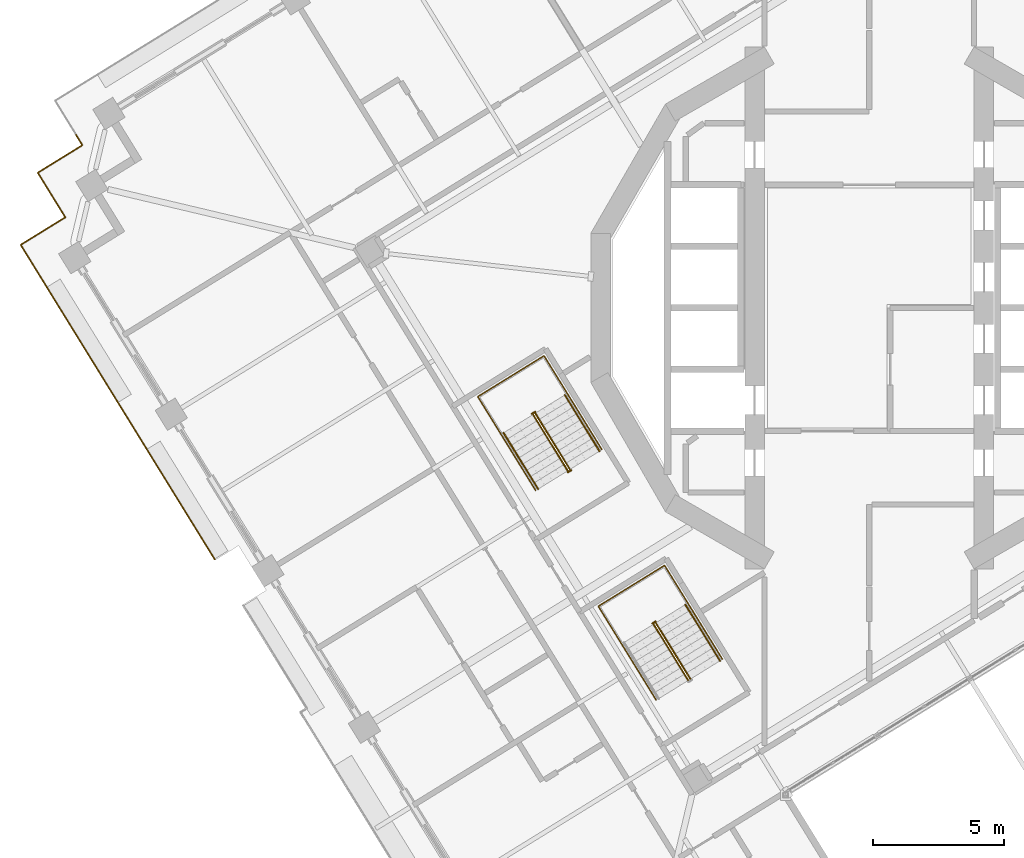
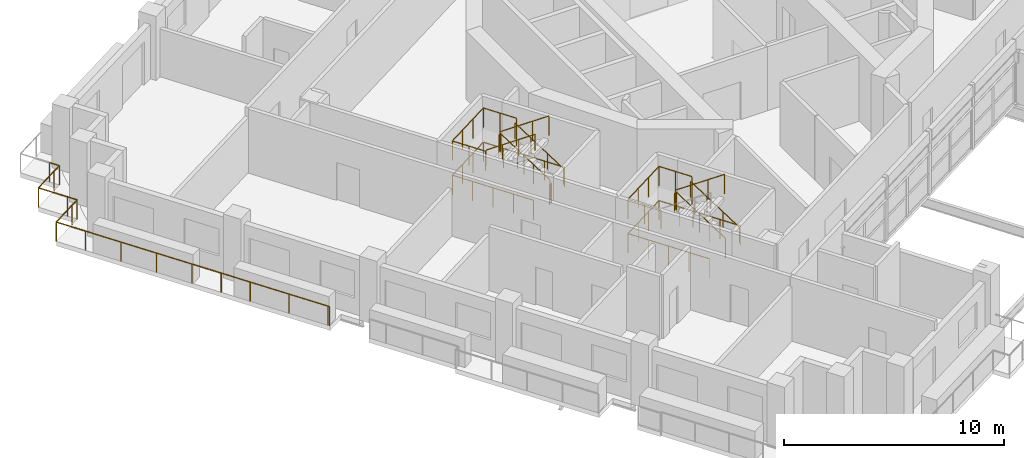
# One storey, part 17 of 22: 13 railings.
"""IFC4 building model written with IfcOpenShell, lengths in metres."""

from ifc_helpers import new_model, si_unit, direction, frame, origin, origin_2d, place, context, subcontext, project, spatial, circle, extrude, material, type_object, element, save


model = new_model("IFC4")

# Units and contexts
model_context = context("Model", 3, precision=1e-05, world=origin(), true_north=direction((0.0, 1.0)))
body_context = subcontext(model_context, "Body", "Model", "MODEL_VIEW")
ifc_project = project(units=[si_unit("LENGTHUNIT", "METRE"), si_unit("AREAUNIT", "SQUARE_METRE"), si_unit("VOLUMEUNIT", "CUBIC_METRE"), si_unit("PLANEANGLEUNIT", "RADIAN"), si_unit("MASSUNIT", "GRAM", prefix="KILO")], contexts=[model_context])

# Site, building, storey
site_placement = place(None, origin())
site = spatial("IfcSite", under=ifc_project, at=site_placement, CompositionType="ELEMENT")
building_placement = place(site_placement, origin())
building = spatial("IfcBuilding", under=site, at=building_placement, Name="Cantera Rosa Tower", CompositionType="ELEMENT")
storey_placement = place(building_placement, frame((0.0, 0.0, 178.0)))
storey = spatial("IfcBuildingStorey", under=building, at=storey_placement, Name="L39", CompositionType="ELEMENT", Elevation=178.0)

# Railings
ifc_material_1 = material(Name="Stainless steel and laminated glass", Category="steel")
railing_type_1 = type_object("IfcRailingType", Name="GUARD 1100", PredefinedType="BALUSTRADE", material=ifc_material_1)
railing_1_placement = place(storey_placement, frame((-24.977783203125, -9.602294921875, 0.0)))
element("IfcRailing", 1, at=railing_1_placement, inside=storey, type_object=railing_type_1, Name="GUARD L39-6", PredefinedType="BALUSTRADE", context=body_context, shape_type="SweptSolid", body=[
    extrude(circle(Radius=0.030029296875, at=origin_2d()), frame((0.0, 0.0, 1.070068359375), z_axis=(-0.523707774199, 0.851897979364, 0.0), x_axis=(-0.851897979364, -0.523707774199, 0.0)), (0.0, 0.0, 1.0), 0.06982421875),
    extrude(circle(Radius=0.030029296875, at=origin_2d()), frame((-0.03662109375, 0.0595703125, 1.070068359375), z_axis=(-0.525022161202, 0.851088556054, 0.0), x_axis=(-0.851088556054, -0.525022161202, 0.0)), (0.0, 0.0, 1.0), 4.02001953125),
    extrude(circle(Radius=0.030029296875, at=origin_2d()), frame((-2.147216796875, 3.48095703125, 1.070068359375), z_axis=(-0.524964362564, 0.851124208349, 0.0), x_axis=(-0.851124208349, -0.524964362564, 0.0)), (0.0, 0.0, 1.0), 3.0),
    extrude(circle(Radius=0.030029296875, at=origin_2d()), frame((-3.72216796875, 6.034423828125, 1.070068359375), z_axis=(-0.524968277683, 0.851121793533, 0.0), x_axis=(-0.851121793533, -0.524968277683, 0.0)), (0.0, 0.0, 1.0), 5.519775390625),
    extrude(circle(Radius=0.030029296875, at=origin_2d()), frame((-6.619873046875, 10.732421875, 1.070068359375), z_axis=(-0.524986950369, 0.851110276017, 0.0), x_axis=(-0.851110276017, -0.524986950369, 0.0)), (0.0, 0.0, 1.0), 1.500244140625),
    extrude(circle(Radius=0.030029296875, at=origin_2d()), frame((-7.407470703125, 12.00927734375, 1.070068359375), z_axis=(0.85118298814, 0.524869051004, 0.0), x_axis=(-0.524869051004, 0.85118298814, 0.0)), (0.0, 0.0, 1.0), 1.5),
    extrude(circle(Radius=0.030029296875, at=origin_2d()), frame((-6.130615234375, 12.796630859375, 1.070068359375), z_axis=(0.851138143202, 0.52494176933, 0.0), x_axis=(-0.52494176933, 0.851138143202, 0.0)), (0.0, 0.0, 1.0), 0.5),
    extrude(circle(Radius=0.030029296875, at=origin_2d()), frame((-5.705078125, 13.05908203125, 1.070068359375), z_axis=(-0.52494176933, 0.851138143202, 0.0), x_axis=(-0.851138143202, -0.52494176933, 0.0)), (0.0, 0.0, 1.0), 0.5),
    extrude(circle(Radius=0.030029296875, at=origin_2d()), frame((-5.967529296875, 13.484619140625, 1.070068359375), z_axis=(-0.524986950369, 0.851110276017, 0.0), x_axis=(-0.851110276017, -0.524986950369, 0.0)), (0.0, 0.0, 1.0), 1.500244140625),
    extrude(circle(Radius=0.030029296875, at=origin_2d()), frame((-6.755126953125, 14.761474609375, 1.070068359375), z_axis=(0.851138143202, 0.52494176933, 0.0), x_axis=(-0.52494176933, 0.851138143202, 0.0)), (0.0, 0.0, 1.0), 1.5),
    extrude(circle(Radius=0.030029296875, at=origin_2d()), frame((-5.478515625, 15.548828125, 1.070068359375), z_axis=(0.851138143202, 0.52494176933, 0.0), x_axis=(-0.52494176933, 0.851138143202, 0.0)), (0.0, 0.0, 1.0), 0.5),
    extrude(circle(Radius=0.030029296875, at=origin_2d()), frame((-5.052978515625, 15.811279296875, 1.070068359375), z_axis=(-0.52494176933, 0.851138143202, 0.0), x_axis=(-0.851138143202, -0.52494176933, 0.0)), (0.0, 0.0, 1.0), 0.5),
    extrude(circle(Radius=0.02490234375, at=origin_2d()), origin(), (0.0, 0.0, 1.0), 1.0400390625),
    extrude(circle(Radius=0.02490234375, at=origin_2d()), frame((-0.03662109375, 0.0595703125, 0.0)), (0.0, 0.0, 1.0), 1.0400390625),
    extrude(circle(Radius=0.02490234375, at=origin_2d()), frame((-1.091796875, 1.770263671875, 0.0)), (0.0, 0.0, 1.0), 1.0400390625),
    extrude(circle(Radius=0.02490234375, at=origin_2d()), frame((-2.147216796875, 3.48095703125, 0.0)), (0.0, 0.0, 1.0), 1.0400390625),
    extrude(circle(Radius=0.02490234375, at=origin_2d()), frame((-2.9345703125, 4.7578125, 0.0)), (0.0, 0.0, 1.0), 1.0400390625),
    extrude(circle(Radius=0.02490234375, at=origin_2d()), frame((-3.72216796875, 6.034423828125, 0.0)), (0.0, 0.0, 1.0), 1.0400390625),
    extrude(circle(Radius=0.02490234375, at=origin_2d()), frame((-4.68798828125, 7.600341796875, 0.0)), (0.0, 0.0, 1.0), 1.0400390625),
    extrude(circle(Radius=0.02490234375, at=origin_2d()), frame((-5.654052734375, 9.16650390625, 0.0)), (0.0, 0.0, 1.0), 1.0400390625),
    extrude(circle(Radius=0.02490234375, at=origin_2d()), frame((-6.619873046875, 10.732421875, 0.0)), (0.0, 0.0, 1.0), 1.0400390625),
    extrude(circle(Radius=0.02490234375, at=origin_2d()), frame((-7.407470703125, 12.00927734375, 0.0)), (0.0, 0.0, 1.0), 1.0400390625),
    extrude(circle(Radius=0.02490234375, at=origin_2d()), frame((-6.130615234375, 12.796630859375, 0.0)), (0.0, 0.0, 1.0), 1.0400390625),
    extrude(circle(Radius=0.02490234375, at=origin_2d()), frame((-5.705078125, 13.05908203125, 0.0)), (0.0, 0.0, 1.0), 1.0400390625),
    extrude(circle(Radius=0.02490234375, at=origin_2d()), frame((-5.967529296875, 13.484619140625, 0.0)), (0.0, 0.0, 1.0), 1.0400390625),
    extrude(circle(Radius=0.02490234375, at=origin_2d()), frame((-6.755126953125, 14.761474609375, 0.0)), (0.0, 0.0, 1.0), 1.0400390625),
    extrude(circle(Radius=0.02490234375, at=origin_2d()), frame((-5.478515625, 15.548828125, 0.0)), (0.0, 0.0, 1.0), 1.0400390625),
    extrude(circle(Radius=0.02490234375, at=origin_2d()), frame((-5.052978515625, 15.811279296875, 0.0)), (0.0, 0.0, 1.0), 1.0400390625),
    extrude(circle(Radius=0.02490234375, at=origin_2d()), frame((-5.3154296875, 16.23681640625, 0.0)), (0.0, 0.0, 1.0), 1.0400390625),
])
ifc_material_2 = material(Name="Steel S355J2 (EN 10025-2)", Category="steel")
railing_type_2 = type_object("IfcRailingType", Name="STAIR GUARD 1100", PredefinedType="GUARDRAIL", material=ifc_material_2)
railing_2_placement = place(storey_placement, frame((-11.42333984375, -6.165771484375, 0.18994140625)))
element("IfcRailing", 2, at=railing_2_placement, inside=storey, type_object=railing_type_2, Name="L39 ST-32 stair guard 1", PredefinedType="GUARDRAIL", context=body_context, shape_type="SweptSolid", body=[
    extrude(circle(Radius=0.02392578125, at=origin_2d()), frame((0.0, 0.0, 1.076171875), z_axis=(-0.434427613125, 0.704271375033, 0.561493080334), x_axis=(-0.851102330005, -0.524999832248, 0.0)), (0.0, 0.0, 1.0), 3.04541015625),
    extrude(circle(Radius=0.02392578125, at=origin_2d()), frame((-1.322998046875, 2.144775390625, 2.7861328125), z_axis=(-0.073711968402, 0.997279572494, 0.0), x_axis=(-0.997279572494, -0.073711968402, 0.0)), (0.0, 0.0, 1.0), 0.056396484375),
    extrude(circle(Radius=0.02392578125, at=origin_2d()), frame((-1.3271484375, 2.200927734375, 2.7861328125), z_axis=(-0.851546489876, -0.524279100842, 0.0), x_axis=(0.524279100842, -0.851546489876, 0.0)), (0.0, 0.0, 1.0), 0.14990234375),
    extrude(circle(Radius=0.02099609375, at=origin_2d()), origin(), (0.0, 0.0, 1.0), 1.052001953125),
    extrude(circle(Radius=0.02099609375, at=origin_2d()), frame((-0.44091796875, 0.71484375, 0.570068359375)), (0.0, 0.0, 1.0), 1.052001953125),
    extrude(circle(Radius=0.02099609375, at=origin_2d()), frame((-0.882080078125, 1.429931640625, 1.139892578125)), (0.0, 0.0, 1.0), 1.052001953125),
    extrude(circle(Radius=0.02099609375, at=origin_2d()), frame((-1.322998046875, 2.144775390625, 1.7099609375)), (0.0, 0.0, 1.0), 1.052001953125),
    extrude(circle(Radius=0.02099609375, at=origin_2d()), frame((-1.3271484375, 2.200927734375, 1.7099609375)), (0.0, 0.0, 1.0), 1.052001953125),
    extrude(circle(Radius=0.02099609375, at=origin_2d()), frame((-1.454833984375, 2.122314453125, 1.7099609375)), (0.0, 0.0, 1.0), 1.052001953125),
])
railing_3_placement = place(storey_placement, frame((-12.82958984375, -4.072509765625, 2.090087890625)))
element("IfcRailing", 3, at=railing_3_placement, inside=storey, type_object=railing_type_2, Name="L39 ST-32 stair guard 2", PredefinedType="GUARDRAIL", context=body_context, shape_type="SweptSolid", body=[
    extrude(circle(Radius=0.02392578125, at=origin_2d()), frame((0.0, 0.0, 1.076171875), z_axis=(0.434362572038, -0.70429590169, 0.561512634654), x_axis=(0.851145618652, 0.524929648476, 0.0)), (0.0, 0.0, 1.0), 3.045166015625),
    extrude(circle(Radius=0.02099609375, at=origin_2d()), origin(), (0.0, 0.0, 1.0), 1.052001953125),
    extrude(circle(Radius=0.02099609375, at=origin_2d()), frame((0.44091796875, -0.71484375, 0.570068359375)), (0.0, 0.0, 1.0), 1.052001953125),
    extrude(circle(Radius=0.02099609375, at=origin_2d()), frame((0.8818359375, -1.429931640625, 1.139892578125)), (0.0, 0.0, 1.0), 1.052001953125),
    extrude(circle(Radius=0.02099609375, at=origin_2d()), frame((1.32275390625, -2.144775390625, 1.7099609375)), (0.0, 0.0, 1.0), 1.052001953125),
])
railing_4_placement = place(storey_placement, frame((-11.375, -6.19482421875, 0.0)))
element("IfcRailing", 4, at=railing_4_placement, inside=storey, type_object=railing_type_2, Name="L39 ST-32 stair guard 3", PredefinedType="GUARDRAIL", context=body_context, shape_type="SweptSolid", body=[
    extrude(circle(Radius=0.02392578125, at=origin_2d()), frame((0.0, 0.0, 1.076171875), z_axis=(-0.851546489876, -0.524279100842, 0.0), x_axis=(0.524279100842, -0.851546489876, 0.0)), (0.0, 0.0, 1.0), 0.14990234375),
    extrude(circle(Radius=0.02099609375, at=origin_2d()), origin(), (0.0, 0.0, 1.0), 1.052001953125),
    extrude(circle(Radius=0.02099609375, at=origin_2d()), frame((-0.127685546875, -0.07861328125, 0.0)), (0.0, 0.0, 1.0), 1.052001953125),
])
railing_5_placement = place(storey_placement, frame((-10.20751953125, -5.40185546875, 0.0)))
element("IfcRailing", 5, at=railing_5_placement, inside=storey, type_object=railing_type_2, Name="L39 ST-32 stair guard 4", PredefinedType="GUARDRAIL", context=body_context, shape_type="SweptSolid", body=[
    extrude(circle(Radius=0.02392578125, at=origin_2d()), frame((0.0, 0.0, 1.076171875), z_axis=(-0.524976478809, 0.851116735059, 0.0), x_axis=(-0.851116735059, -0.524976478809, 0.0)), (0.0, 0.0, 1.0), 4.197998046875),
    extrude(circle(Radius=0.02392578125, at=origin_2d()), frame((-2.203857421875, 3.572998046875, 1.076171875), z_axis=(-0.851132917336, -0.524950242429, 0.0), x_axis=(0.524950242429, -0.851132917336, 0.0)), (0.0, 0.0, 1.0), 2.969970703125),
    extrude(circle(Radius=0.02392578125, at=origin_2d()), frame((-4.731689453125, 2.013916015625, 1.076171875), z_axis=(0.524976478809, -0.851116735059, 0.0), x_axis=(0.851116735059, 0.524976478809, 0.0)), (0.0, 0.0, 1.0), 4.197998046875),
    extrude(circle(Radius=0.02099609375, at=origin_2d()), origin(), (0.0, 0.0, 1.0), 1.052001953125),
    extrude(circle(Radius=0.02099609375, at=origin_2d()), frame((-0.551025390625, 0.893310546875, 0.0)), (0.0, 0.0, 1.0), 1.052001953125),
    extrude(circle(Radius=0.02099609375, at=origin_2d()), frame((-1.10205078125, 1.78662109375, 0.0)), (0.0, 0.0, 1.0), 1.052001953125),
    extrude(circle(Radius=0.02099609375, at=origin_2d()), frame((-1.65283203125, 2.6796875, 0.0)), (0.0, 0.0, 1.0), 1.052001953125),
    extrude(circle(Radius=0.02099609375, at=origin_2d()), frame((-2.203857421875, 3.572998046875, 0.0)), (0.0, 0.0, 1.0), 1.052001953125),
    extrude(circle(Radius=0.02099609375, at=origin_2d()), frame((-3.04638671875, 3.05322265625, 0.0)), (0.0, 0.0, 1.0), 1.052001953125),
    extrude(circle(Radius=0.02099609375, at=origin_2d()), frame((-3.88916015625, 2.53369140625, 0.0)), (0.0, 0.0, 1.0), 1.052001953125),
    extrude(circle(Radius=0.02099609375, at=origin_2d()), frame((-4.731689453125, 2.013916015625, 0.0)), (0.0, 0.0, 1.0), 1.052001953125),
    extrude(circle(Radius=0.02099609375, at=origin_2d()), frame((-4.1806640625, 1.12060546875, 0.0)), (0.0, 0.0, 1.0), 1.052001953125),
    extrude(circle(Radius=0.02099609375, at=origin_2d()), frame((-3.6298828125, 0.2275390625, 0.0)), (0.0, 0.0, 1.0), 1.052001953125),
    extrude(circle(Radius=0.02099609375, at=origin_2d()), frame((-3.078857421875, -0.665771484375, 0.0)), (0.0, 0.0, 1.0), 1.052001953125),
    extrude(circle(Radius=0.02099609375, at=origin_2d()), frame((-2.52783203125, -1.55908203125, 0.0)), (0.0, 0.0, 1.0), 1.052001953125),
])
railing_6_placement = place(storey_placement, frame((-11.517822265625, -3.27734375, 1.89990234375)))
element("IfcRailing", 6, at=railing_6_placement, inside=storey, type_object=railing_type_2, Name="L39 ST-32 stair guard 5", PredefinedType="GUARDRAIL", context=body_context, shape_type="SweptSolid", body=[
    extrude(circle(Radius=0.02392578125, at=origin_2d()), frame((0.0, 0.0, 1.076171875), z_axis=(-0.525025534833, 0.851086474909, 0.0), x_axis=(-0.851086474909, -0.525025534833, 0.0)), (0.0, 0.0, 1.0), 1.701904296875),
    extrude(circle(Radius=0.02392578125, at=origin_2d()), frame((-0.8935546875, 1.448486328125, 1.076171875), z_axis=(-0.851132917336, -0.524950242429, 0.0), x_axis=(0.524950242429, -0.851132917336, 0.0)), (0.0, 0.0, 1.0), 2.969970703125),
    extrude(circle(Radius=0.02392578125, at=origin_2d()), frame((-3.42138671875, -0.110595703125, 1.076171875), z_axis=(0.524961441845, -0.851126009811, 0.0), x_axis=(0.851126009811, 0.524961441845, 0.0)), (0.0, 0.0, 1.0), 1.7021484375),
    extrude(circle(Radius=0.02099609375, at=origin_2d()), origin(), (0.0, 0.0, 1.0), 1.052001953125),
    extrude(circle(Radius=0.02099609375, at=origin_2d()), frame((-0.44677734375, 0.72412109375, 0.0)), (0.0, 0.0, 1.0), 1.052001953125),
    extrude(circle(Radius=0.02099609375, at=origin_2d()), frame((-0.8935546875, 1.448486328125, 0.0)), (0.0, 0.0, 1.0), 1.052001953125),
    extrude(circle(Radius=0.02099609375, at=origin_2d()), frame((-1.736083984375, 0.9287109375, 0.0)), (0.0, 0.0, 1.0), 1.052001953125),
    extrude(circle(Radius=0.02099609375, at=origin_2d()), frame((-2.578857421875, 0.4091796875, 0.0)), (0.0, 0.0, 1.0), 1.052001953125),
    extrude(circle(Radius=0.02099609375, at=origin_2d()), frame((-3.42138671875, -0.110595703125, 0.0)), (0.0, 0.0, 1.0), 1.052001953125),
    extrude(circle(Radius=0.02099609375, at=origin_2d()), frame((-2.974609375, -0.8349609375, 0.0)), (0.0, 0.0, 1.0), 1.052001953125),
    extrude(circle(Radius=0.02099609375, at=origin_2d()), frame((-2.52783203125, -1.559326171875, 0.0)), (0.0, 0.0, 1.0), 1.052001953125),
])
railing_7_placement = place(storey_placement, frame((-6.8232421875, -14.165771484375, 0.18994140625)))
element("IfcRailing", 7, at=railing_7_placement, inside=storey, type_object=railing_type_2, Name="L39 ST-33 stair guard 1", PredefinedType="GUARDRAIL", context=body_context, shape_type="SweptSolid", body=[
    extrude(circle(Radius=0.02392578125, at=origin_2d()), frame((0.0, 0.0, 1.076171875), z_axis=(-0.434427613125, 0.704271375033, 0.561493080334), x_axis=(-0.851102330005, -0.524999832248, 0.0)), (0.0, 0.0, 1.0), 3.04541015625),
    extrude(circle(Radius=0.02392578125, at=origin_2d()), frame((-1.322998046875, 2.144775390625, 2.7861328125), z_axis=(-0.073711968402, 0.997279572494, 0.0), x_axis=(-0.997279572494, -0.073711968402, 0.0)), (0.0, 0.0, 1.0), 0.056396484375),
    extrude(circle(Radius=0.02392578125, at=origin_2d()), frame((-1.3271484375, 2.200927734375, 2.7861328125), z_axis=(-0.851546489876, -0.524279100842, 0.0), x_axis=(0.524279100842, -0.851546489876, 0.0)), (0.0, 0.0, 1.0), 0.14990234375),
    extrude(circle(Radius=0.02099609375, at=origin_2d()), origin(), (0.0, 0.0, 1.0), 1.052001953125),
    extrude(circle(Radius=0.02099609375, at=origin_2d()), frame((-0.44091796875, 0.71484375, 0.570068359375)), (0.0, 0.0, 1.0), 1.052001953125),
    extrude(circle(Radius=0.02099609375, at=origin_2d()), frame((-0.882080078125, 1.429931640625, 1.139892578125)), (0.0, 0.0, 1.0), 1.052001953125),
    extrude(circle(Radius=0.02099609375, at=origin_2d()), frame((-1.322998046875, 2.144775390625, 1.7099609375)), (0.0, 0.0, 1.0), 1.052001953125),
    extrude(circle(Radius=0.02099609375, at=origin_2d()), frame((-1.3271484375, 2.200927734375, 1.7099609375)), (0.0, 0.0, 1.0), 1.052001953125),
    extrude(circle(Radius=0.02099609375, at=origin_2d()), frame((-1.454833984375, 2.122314453125, 1.7099609375)), (0.0, 0.0, 1.0), 1.052001953125),
])
railing_8_placement = place(storey_placement, frame((-8.229736328125, -12.072509765625, 2.090087890625)))
element("IfcRailing", 8, at=railing_8_placement, inside=storey, type_object=railing_type_2, Name="L39 ST-33 stair guard 2", PredefinedType="GUARDRAIL", context=body_context, shape_type="SweptSolid", body=[
    extrude(circle(Radius=0.02392578125, at=origin_2d()), frame((0.0, 0.0, 1.076171875), z_axis=(0.434427613125, -0.704271375033, 0.561493080334), x_axis=(0.851102330005, 0.524999832248, 0.0)), (0.0, 0.0, 1.0), 3.04541015625),
    extrude(circle(Radius=0.02099609375, at=origin_2d()), origin(), (0.0, 0.0, 1.0), 1.052001953125),
    extrude(circle(Radius=0.02099609375, at=origin_2d()), frame((0.44091796875, -0.71484375, 0.570068359375)), (0.0, 0.0, 1.0), 1.052001953125),
    extrude(circle(Radius=0.02099609375, at=origin_2d()), frame((0.882080078125, -1.429931640625, 1.139892578125)), (0.0, 0.0, 1.0), 1.052001953125),
    extrude(circle(Radius=0.02099609375, at=origin_2d()), frame((1.322998046875, -2.144775390625, 1.7099609375)), (0.0, 0.0, 1.0), 1.052001953125),
])
railing_9_placement = place(storey_placement, frame((-5.607421875, -13.40185546875, 0.0)))
element("IfcRailing", 9, at=railing_9_placement, inside=storey, type_object=railing_type_2, Name="L39 ST-33 stair guard 4", PredefinedType="GUARDRAIL", context=body_context, shape_type="SweptSolid", body=[
    extrude(circle(Radius=0.02392578125, at=origin_2d()), frame((0.0, 0.0, 1.076171875), z_axis=(-0.524976478809, 0.851116735059, 0.0), x_axis=(-0.851116735059, -0.524976478809, 0.0)), (0.0, 0.0, 1.0), 4.197998046875),
    extrude(circle(Radius=0.02392578125, at=origin_2d()), frame((-2.203857421875, 3.572998046875, 1.076171875), z_axis=(-0.851132917336, -0.524950242429, 0.0), x_axis=(0.524950242429, -0.851132917336, 0.0)), (0.0, 0.0, 1.0), 2.969970703125),
    extrude(circle(Radius=0.02392578125, at=origin_2d()), frame((-4.731689453125, 2.013916015625, 1.076171875), z_axis=(0.524976478809, -0.851116735059, 0.0), x_axis=(0.851116735059, 0.524976478809, 0.0)), (0.0, 0.0, 1.0), 4.197998046875),
    extrude(circle(Radius=0.02099609375, at=origin_2d()), origin(), (0.0, 0.0, 1.0), 1.052001953125),
    extrude(circle(Radius=0.02099609375, at=origin_2d()), frame((-0.551025390625, 0.893310546875, 0.0)), (0.0, 0.0, 1.0), 1.052001953125),
    extrude(circle(Radius=0.02099609375, at=origin_2d()), frame((-1.10205078125, 1.78662109375, 0.0)), (0.0, 0.0, 1.0), 1.052001953125),
    extrude(circle(Radius=0.02099609375, at=origin_2d()), frame((-1.65283203125, 2.6796875, 0.0)), (0.0, 0.0, 1.0), 1.052001953125),
    extrude(circle(Radius=0.02099609375, at=origin_2d()), frame((-2.203857421875, 3.572998046875, 0.0)), (0.0, 0.0, 1.0), 1.052001953125),
    extrude(circle(Radius=0.02099609375, at=origin_2d()), frame((-3.04638671875, 3.05322265625, 0.0)), (0.0, 0.0, 1.0), 1.052001953125),
    extrude(circle(Radius=0.02099609375, at=origin_2d()), frame((-3.88916015625, 2.53369140625, 0.0)), (0.0, 0.0, 1.0), 1.052001953125),
    extrude(circle(Radius=0.02099609375, at=origin_2d()), frame((-4.731689453125, 2.013916015625, 0.0)), (0.0, 0.0, 1.0), 1.052001953125),
    extrude(circle(Radius=0.02099609375, at=origin_2d()), frame((-4.1806640625, 1.12060546875, 0.0)), (0.0, 0.0, 1.0), 1.052001953125),
    extrude(circle(Radius=0.02099609375, at=origin_2d()), frame((-3.6298828125, 0.2275390625, 0.0)), (0.0, 0.0, 1.0), 1.052001953125),
    extrude(circle(Radius=0.02099609375, at=origin_2d()), frame((-3.078857421875, -0.665771484375, 0.0)), (0.0, 0.0, 1.0), 1.052001953125),
    extrude(circle(Radius=0.02099609375, at=origin_2d()), frame((-2.52783203125, -1.55908203125, 0.0)), (0.0, 0.0, 1.0), 1.052001953125),
])
railing_10_placement = place(storey_placement, frame((-6.917724609375, -11.27734375, 1.89990234375)))
element("IfcRailing", 10, at=railing_10_placement, inside=storey, type_object=railing_type_2, Name="L39 ST-33 stair guard 5", PredefinedType="GUARDRAIL", context=body_context, shape_type="SweptSolid", body=[
    extrude(circle(Radius=0.02392578125, at=origin_2d()), frame((0.0, 0.0, 1.076171875), z_axis=(-0.525025534833, 0.851086474909, 0.0), x_axis=(-0.851086474909, -0.525025534833, 0.0)), (0.0, 0.0, 1.0), 1.701904296875),
    extrude(circle(Radius=0.02392578125, at=origin_2d()), frame((-0.8935546875, 1.448486328125, 1.076171875), z_axis=(-0.851132917336, -0.524950242429, 0.0), x_axis=(0.524950242429, -0.851132917336, 0.0)), (0.0, 0.0, 1.0), 2.969970703125),
    extrude(circle(Radius=0.02392578125, at=origin_2d()), frame((-3.42138671875, -0.110595703125, 1.076171875), z_axis=(0.524961441845, -0.851126009811, 0.0), x_axis=(0.851126009811, 0.524961441845, 0.0)), (0.0, 0.0, 1.0), 1.7021484375),
    extrude(circle(Radius=0.02099609375, at=origin_2d()), origin(), (0.0, 0.0, 1.0), 1.052001953125),
    extrude(circle(Radius=0.02099609375, at=origin_2d()), frame((-0.44677734375, 0.72412109375, 0.0)), (0.0, 0.0, 1.0), 1.052001953125),
    extrude(circle(Radius=0.02099609375, at=origin_2d()), frame((-0.8935546875, 1.448486328125, 0.0)), (0.0, 0.0, 1.0), 1.052001953125),
    extrude(circle(Radius=0.02099609375, at=origin_2d()), frame((-1.736083984375, 0.9287109375, 0.0)), (0.0, 0.0, 1.0), 1.052001953125),
    extrude(circle(Radius=0.02099609375, at=origin_2d()), frame((-2.578857421875, 0.4091796875, 0.0)), (0.0, 0.0, 1.0), 1.052001953125),
    extrude(circle(Radius=0.02099609375, at=origin_2d()), frame((-3.42138671875, -0.110595703125, 0.0)), (0.0, 0.0, 1.0), 1.052001953125),
    extrude(circle(Radius=0.02099609375, at=origin_2d()), frame((-2.974609375, -0.8349609375, 0.0)), (0.0, 0.0, 1.0), 1.052001953125),
    extrude(circle(Radius=0.02099609375, at=origin_2d()), frame((-2.52783203125, -1.559326171875, 0.0)), (0.0, 0.0, 1.0), 1.052001953125),
])
ifc_material_3 = material(Name="Steel S355J2 (EN 10025-2)", Category="steel")
railing_type_3 = type_object("IfcRailingType", Name="STAIR HANDRAIL 900", PredefinedType="HANDRAIL", material=ifc_material_3)
railing_11_placement = place(storey_placement, frame((-10.294677734375, -5.4697265625, 0.18994140625)))
element("IfcRailing", 11, at=railing_11_placement, inside=storey, type_object=railing_type_3, Name="L39 ST-32 stair handrail 1", PredefinedType="HANDRAIL", context=body_context, shape_type="SweptSolid", body=[
    extrude(circle(Radius=0.02392578125, at=origin_2d()), frame((0.0, 0.0, 0.8759765625), z_axis=(-0.434427613125, 0.704271375033, 0.561493080334), x_axis=(-0.851102330005, -0.524999832248, 0.0)), (0.0, 0.0, 1.0), 3.04541015625),
    extrude(circle(Radius=0.02099609375, at=origin_2d()), origin(), (0.0, 0.0, 1.0), 0.851806640625),
    extrude(circle(Radius=0.02099609375, at=origin_2d()), frame((-0.44091796875, 0.71484375, 0.570068359375)), (0.0, 0.0, 1.0), 0.851806640625),
    extrude(circle(Radius=0.02099609375, at=origin_2d()), frame((-0.882080078125, 1.429931640625, 1.139892578125)), (0.0, 0.0, 1.0), 0.851806640625),
    extrude(circle(Radius=0.02099609375, at=origin_2d()), frame((-1.322998046875, 2.144775390625, 1.7099609375)), (0.0, 0.0, 1.0), 0.851806640625),
])
railing_12_placement = place(storey_placement, frame((-13.958251953125, -4.7685546875, 2.090087890625)))
element("IfcRailing", 12, at=railing_12_placement, inside=storey, type_object=railing_type_3, Name="L39 ST-32 stair handrail 2", PredefinedType="HANDRAIL", context=body_context, shape_type="SweptSolid", body=[
    extrude(circle(Radius=0.02392578125, at=origin_2d()), frame((0.0, 0.0, 0.8759765625), z_axis=(0.434427613125, -0.704271375033, 0.561493080334), x_axis=(0.851102330005, 0.524999832248, 0.0)), (0.0, 0.0, 1.0), 3.04541015625),
    extrude(circle(Radius=0.02099609375, at=origin_2d()), origin(), (0.0, 0.0, 1.0), 0.851806640625),
    extrude(circle(Radius=0.02099609375, at=origin_2d()), frame((0.44091796875, -0.71484375, 0.570068359375)), (0.0, 0.0, 1.0), 0.851806640625),
    extrude(circle(Radius=0.02099609375, at=origin_2d()), frame((0.882080078125, -1.429931640625, 1.139892578125)), (0.0, 0.0, 1.0), 0.851806640625),
    extrude(circle(Radius=0.02099609375, at=origin_2d()), frame((1.322998046875, -2.144775390625, 1.7099609375)), (0.0, 0.0, 1.0), 0.851806640625),
])
railing_13_placement = place(storey_placement, frame((-5.69482421875, -13.4697265625, 0.18994140625)))
element("IfcRailing", 13, at=railing_13_placement, inside=storey, type_object=railing_type_3, Name="L39 ST-33 stair handrail 1", PredefinedType="HANDRAIL", context=body_context, shape_type="SweptSolid", body=[
    extrude(circle(Radius=0.02392578125, at=origin_2d()), frame((0.0, 0.0, 0.8759765625), z_axis=(-0.434362572038, 0.70429590169, 0.561512634654), x_axis=(-0.851145618652, -0.524929648476, 0.0)), (0.0, 0.0, 1.0), 3.045166015625),
    extrude(circle(Radius=0.02099609375, at=origin_2d()), origin(), (0.0, 0.0, 1.0), 0.851806640625),
    extrude(circle(Radius=0.02099609375, at=origin_2d()), frame((-0.44091796875, 0.71484375, 0.570068359375)), (0.0, 0.0, 1.0), 0.851806640625),
    extrude(circle(Radius=0.02099609375, at=origin_2d()), frame((-0.8818359375, 1.429931640625, 1.139892578125)), (0.0, 0.0, 1.0), 0.851806640625),
    extrude(circle(Radius=0.02099609375, at=origin_2d()), frame((-1.32275390625, 2.144775390625, 1.7099609375)), (0.0, 0.0, 1.0), 0.851806640625),
])

save(model, "model.ifc")
